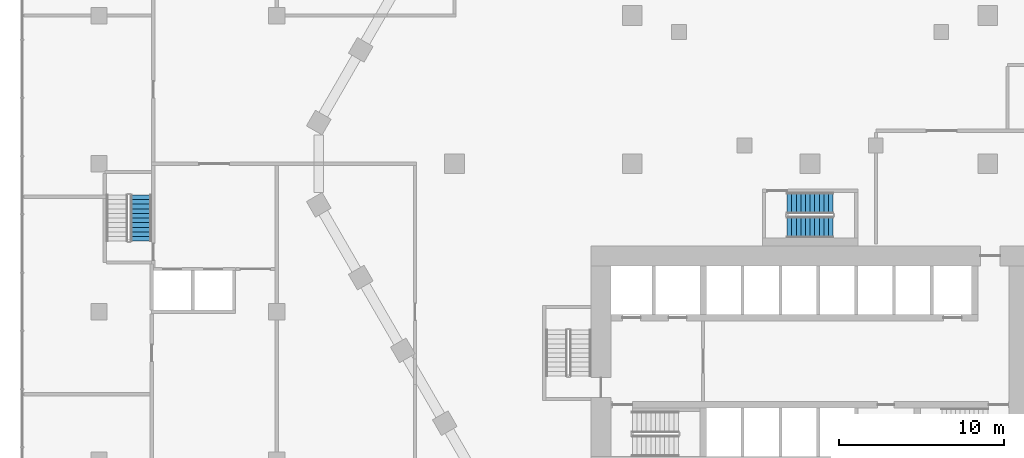
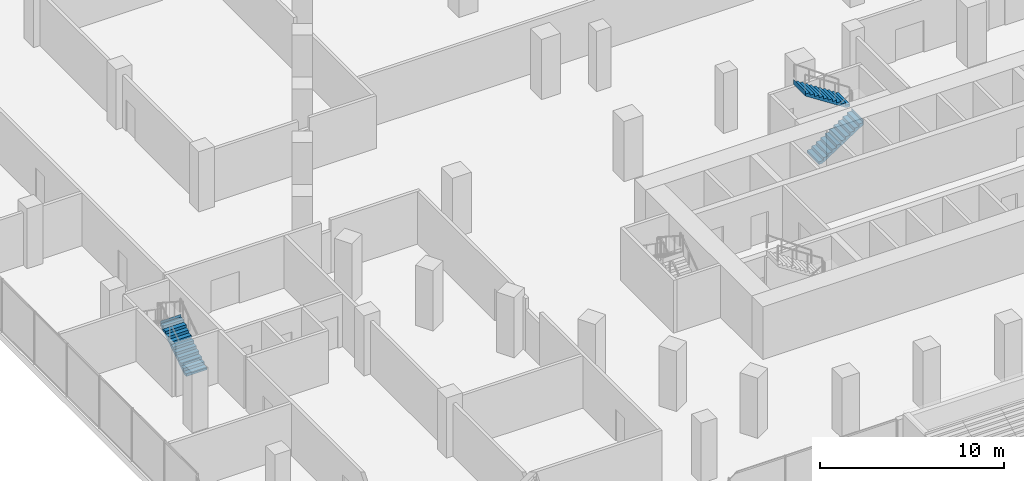
# One storey, part 35 of 45: 3 stair flights, 2 elements without a shape of their own.
"""IFC4 building model written with IfcOpenShell, lengths in metres."""

from ifc_helpers import new_model, si_unit, direction, frame, origin, place, context, subcontext, project, spatial, triangles, material, type_object, element, aggregate, save


model = new_model("IFC4")

# Units and contexts
model_context = context("Model", 3, precision=1e-05, world=origin(), true_north=direction((0.0, 1.0)))
body_context = subcontext(model_context, "Body", "Model", "MODEL_VIEW")
ifc_project = project(units=[si_unit("LENGTHUNIT", "METRE"), si_unit("AREAUNIT", "SQUARE_METRE"), si_unit("VOLUMEUNIT", "CUBIC_METRE"), si_unit("PLANEANGLEUNIT", "RADIAN"), si_unit("MASSUNIT", "GRAM", prefix="KILO")], contexts=[model_context])

# Site, building, storey
site_placement = place(None, origin())
site = spatial("IfcSite", under=ifc_project, at=site_placement, CompositionType="ELEMENT")
building_placement = place(site_placement, origin())
building = spatial("IfcBuilding", under=site, at=building_placement, Name="Beryl Residences", CompositionType="ELEMENT")
storey_placement = place(building_placement, frame((0.0, 0.0, 5.0)))
storey = spatial("IfcBuildingStorey", under=building, at=storey_placement, Name="L01", CompositionType="ELEMENT", Elevation=5.0)

# Stair, stair flight
ifc_material_1 = material(Name="Concrete C40/50", Category="concrete")
stair_type = type_object("IfcStairType", Name="ST1 protected exit stair, half-turn, 1300 mm flights", PredefinedType="HALF_TURN_STAIR", material=ifc_material_1)
stair_1_placement = place(storey_placement, origin())
stair_1 = element("IfcStair", 1, at=stair_1_placement, inside=storey, type_object=stair_type, Name="L01 Podium exit stair 6", PredefinedType="HALF_TURN_STAIR")
ifc_material_2 = material(Name="Concrete C40/50", Category="concrete")
stair_flight_type = type_object("IfcStairFlightType", Name="SF1 stair flight 1300 mm", PredefinedType="STRAIGHT", material=ifc_material_2)
stair_flight_1_placement = place(storey_placement, frame((-40.64990234375, -4.699951171875, 0.0), z_axis=(0.0, 0.0, 1.0), x_axis=(0.0, 1.0, 0.0)))
stair_flight_1 = element("IfcStairFlight", 2, at=stair_flight_1_placement, type_object=stair_flight_type, Name="PS-6 flight 1", NumberOfRisers=11, NumberOfTreads=10, PredefinedType="STRAIGHT", RiserHeight=0.181818182, TreadLength=0.28, context=body_context, shape_type="Tessellation", body=[
    triangles([(0.0, -0.64990234375, 0.0), (0.0, -0.324951171875, 0.0), (0.0, 0.0, 0.0), (0.0, 0.324951171875, 0.0), (0.0, 0.64990234375, 0.0), (0.0, -0.64990234375, 0.181884765625), (0.0, -0.324951171875, 0.181884765625), (0.0, 0.0, 0.181884765625), (0.0, 0.324951171875, 0.181884765625), (0.0, 0.64990234375, 0.181884765625), (0.280029296875, -0.64990234375, 0.181884765625), (0.280029296875, -0.324951171875, 0.181884765625), (0.280029296875, 0.0, 0.181884765625), (0.280029296875, 0.324951171875, 0.181884765625), (0.280029296875, 0.64990234375, 0.181884765625), (0.280029296875, -0.64990234375, 0.363525390625), (0.280029296875, -0.324951171875, 0.363525390625), (0.280029296875, 0.0, 0.363525390625), (0.280029296875, 0.324951171875, 0.363525390625), (0.280029296875, 0.64990234375, 0.363525390625), (0.56005859375, -0.64990234375, 0.363525390625), (0.56005859375, -0.324951171875, 0.363525390625), (0.56005859375, 0.0, 0.363525390625), (0.56005859375, 0.324951171875, 0.363525390625), (0.56005859375, 0.64990234375, 0.363525390625), (0.56005859375, -0.64990234375, 0.54541015625), (0.56005859375, -0.324951171875, 0.54541015625), (0.56005859375, 0.0, 0.54541015625), (0.56005859375, 0.324951171875, 0.54541015625), (0.56005859375, 0.64990234375, 0.54541015625), (0.840087890625, -0.64990234375, 0.54541015625), (0.840087890625, -0.324951171875, 0.54541015625), (0.840087890625, 0.0, 0.54541015625), (0.840087890625, 0.324951171875, 0.54541015625), (0.840087890625, 0.64990234375, 0.54541015625), (0.840087890625, -0.64990234375, 0.727294921875), (0.840087890625, -0.324951171875, 0.727294921875), (0.840087890625, 0.0, 0.727294921875), (0.840087890625, 0.324951171875, 0.727294921875), (0.840087890625, 0.64990234375, 0.727294921875), (1.1201171875, -0.64990234375, 0.727294921875), (1.1201171875, -0.324951171875, 0.727294921875), (1.1201171875, 0.0, 0.727294921875), (1.1201171875, 0.324951171875, 0.727294921875), (1.1201171875, 0.64990234375, 0.727294921875), (1.1201171875, -0.64990234375, 0.9091796875), (1.1201171875, -0.324951171875, 0.9091796875), (1.1201171875, 0.0, 0.9091796875), (1.1201171875, 0.324951171875, 0.9091796875), (1.1201171875, 0.64990234375, 0.9091796875), (1.39990234375, -0.64990234375, 0.9091796875), (1.39990234375, -0.324951171875, 0.9091796875), (1.39990234375, 0.0, 0.9091796875), (1.39990234375, 0.324951171875, 0.9091796875), (1.39990234375, 0.64990234375, 0.9091796875), (1.39990234375, -0.64990234375, 1.0908203125), (1.39990234375, -0.324951171875, 1.0908203125), (1.39990234375, 0.0, 1.0908203125), (1.39990234375, 0.324951171875, 1.0908203125), (1.39990234375, 0.64990234375, 1.0908203125), (1.679931640625, -0.64990234375, 1.0908203125), (1.679931640625, -0.324951171875, 1.0908203125), (1.679931640625, 0.0, 1.0908203125), (1.679931640625, 0.324951171875, 1.0908203125), (1.679931640625, 0.64990234375, 1.0908203125), (1.679931640625, -0.64990234375, 1.272705078125), (1.679931640625, -0.324951171875, 1.272705078125), (1.679931640625, 0.0, 1.272705078125), (1.679931640625, 0.324951171875, 1.272705078125), (1.679931640625, 0.64990234375, 1.272705078125), (1.9599609375, -0.64990234375, 1.272705078125), (1.9599609375, -0.324951171875, 1.272705078125), (1.9599609375, 0.0, 1.272705078125), (1.9599609375, 0.324951171875, 1.272705078125), (1.9599609375, 0.64990234375, 1.272705078125), (1.9599609375, -0.64990234375, 1.45458984375), (1.9599609375, -0.324951171875, 1.45458984375), (1.9599609375, 0.0, 1.45458984375), (1.9599609375, 0.324951171875, 1.45458984375), (1.9599609375, 0.64990234375, 1.45458984375), (2.239990234375, -0.64990234375, 1.45458984375), (2.239990234375, -0.324951171875, 1.45458984375), (2.239990234375, 0.0, 1.45458984375), (2.239990234375, 0.324951171875, 1.45458984375), (2.239990234375, 0.64990234375, 1.45458984375), (2.239990234375, -0.64990234375, 1.636474609375), (2.239990234375, -0.324951171875, 1.636474609375), (2.239990234375, 0.0, 1.636474609375), (2.239990234375, 0.324951171875, 1.636474609375), (2.239990234375, 0.64990234375, 1.636474609375), (2.52001953125, -0.64990234375, 1.636474609375), (2.52001953125, -0.324951171875, 1.636474609375), (2.52001953125, 0.0, 1.636474609375), (2.52001953125, 0.324951171875, 1.636474609375), (2.52001953125, 0.64990234375, 1.636474609375), (2.52001953125, -0.64990234375, 1.818115234375), (2.52001953125, -0.324951171875, 1.818115234375), (2.52001953125, 0.0, 1.818115234375), (2.52001953125, 0.324951171875, 1.818115234375), (2.52001953125, 0.64990234375, 1.818115234375), (2.800048828125, -0.64990234375, 1.818115234375), (2.800048828125, -0.324951171875, 1.818115234375), (2.800048828125, 0.0, 1.818115234375), (2.800048828125, 0.324951171875, 1.818115234375), (2.800048828125, 0.64990234375, 1.818115234375), (2.800048828125, -0.64990234375, 2.0), (2.800048828125, -0.324951171875, 2.0), (2.800048828125, 0.0, 2.0), (2.800048828125, 0.324951171875, 2.0), (2.800048828125, 0.64990234375, 2.0), (2.801025390625, -0.64990234375, 2.0), (2.801025390625, -0.324951171875, 2.0), (2.801025390625, 0.0, 2.0), (2.801025390625, 0.324951171875, 2.0), (2.801025390625, 0.64990234375, 2.0), (2.801025390625, -0.64990234375, 1.675048828125), (2.801025390625, -0.324951171875, 1.675048828125), (2.801025390625, 0.0, 1.675048828125), (2.801025390625, 0.324951171875, 1.675048828125), (2.801025390625, 0.64990234375, 1.675048828125), (0.221435546875, -0.64990234375, 0.0), (0.221435546875, -0.324951171875, 0.0), (0.221435546875, 0.0, 0.0), (0.221435546875, 0.324951171875, 0.0), (0.221435546875, 0.64990234375, 0.0)], [[1, 6, 7], [1, 7, 2], [2, 7, 8], [2, 8, 3], [3, 8, 9], [3, 9, 4], [4, 9, 10], [4, 10, 5], [6, 11, 12], [6, 12, 7], [7, 12, 13], [7, 13, 8], [8, 13, 14], [8, 14, 9], [9, 14, 15], [9, 15, 10], [11, 16, 17], [11, 17, 12], [12, 17, 18], [12, 18, 13], [13, 18, 19], [13, 19, 14], [14, 19, 20], [14, 20, 15], [16, 21, 22], [16, 22, 17], [17, 22, 23], [17, 23, 18], [18, 23, 24], [18, 24, 19], [19, 24, 25], [19, 25, 20], [21, 26, 27], [21, 27, 22], [22, 27, 28], [22, 28, 23], [23, 28, 29], [23, 29, 24], [24, 29, 30], [24, 30, 25], [26, 31, 32], [26, 32, 27], [27, 32, 33], [27, 33, 28], [28, 33, 34], [28, 34, 29], [29, 34, 35], [29, 35, 30], [31, 36, 37], [31, 37, 32], [32, 37, 38], [32, 38, 33], [33, 38, 39], [33, 39, 34], [34, 39, 40], [34, 40, 35], [36, 41, 42], [36, 42, 37], [37, 42, 43], [37, 43, 38], [38, 43, 44], [38, 44, 39], [39, 44, 45], [39, 45, 40], [41, 46, 47], [41, 47, 42], [42, 47, 48], [42, 48, 43], [43, 48, 49], [43, 49, 44], [44, 49, 50], [44, 50, 45], [46, 51, 52], [46, 52, 47], [47, 52, 53], [47, 53, 48], [48, 53, 54], [48, 54, 49], [49, 54, 55], [49, 55, 50], [51, 56, 57], [51, 57, 52], [52, 57, 58], [52, 58, 53], [53, 58, 59], [53, 59, 54], [54, 59, 60], [54, 60, 55], [56, 61, 62], [56, 62, 57], [57, 62, 63], [57, 63, 58], [58, 63, 64], [58, 64, 59], [59, 64, 65], [59, 65, 60], [61, 66, 67], [61, 67, 62], [62, 67, 68], [62, 68, 63], [63, 68, 69], [63, 69, 64], [64, 69, 70], [64, 70, 65], [66, 71, 72], [66, 72, 67], [67, 72, 73], [67, 73, 68], [68, 73, 74], [68, 74, 69], [69, 74, 75], [69, 75, 70], [71, 76, 77], [71, 77, 72], [72, 77, 78], [72, 78, 73], [73, 78, 79], [73, 79, 74], [74, 79, 80], [74, 80, 75], [76, 81, 82], [76, 82, 77], [77, 82, 83], [77, 83, 78], [78, 83, 84], [78, 84, 79], [79, 84, 85], [79, 85, 80], [81, 86, 87], [81, 87, 82], [82, 87, 88], [82, 88, 83], [83, 88, 89], [83, 89, 84], [84, 89, 90], [84, 90, 85], [86, 91, 92], [86, 92, 87], [87, 92, 93], [87, 93, 88], [88, 93, 94], [88, 94, 89], [89, 94, 95], [89, 95, 90], [91, 96, 97], [91, 97, 92], [92, 97, 98], [92, 98, 93], [93, 98, 99], [93, 99, 94], [94, 99, 100], [94, 100, 95], [96, 101, 102], [96, 102, 97], [97, 102, 103], [97, 103, 98], [98, 103, 104], [98, 104, 99], [99, 104, 105], [99, 105, 100], [101, 106, 107], [101, 107, 102], [102, 107, 108], [102, 108, 103], [103, 108, 109], [103, 109, 104], [104, 109, 110], [104, 110, 105], [106, 111, 112], [106, 112, 107], [107, 112, 113], [107, 113, 108], [108, 113, 114], [108, 114, 109], [109, 114, 115], [109, 115, 110], [111, 116, 117], [111, 117, 112], [112, 117, 118], [112, 118, 113], [113, 118, 119], [113, 119, 114], [114, 119, 120], [114, 120, 115], [116, 121, 122], [116, 122, 117], [117, 122, 123], [117, 123, 118], [118, 123, 124], [118, 124, 119], [119, 124, 125], [119, 125, 120], [121, 1, 2], [121, 2, 122], [122, 2, 3], [122, 3, 123], [123, 3, 4], [123, 4, 124], [124, 4, 5], [124, 5, 125], [1, 121, 116], [5, 120, 125], [116, 111, 106], [120, 110, 115], [116, 106, 101], [120, 105, 110], [116, 101, 96], [120, 100, 105], [116, 96, 91], [120, 95, 100], [91, 86, 81], [95, 85, 90], [116, 91, 81], [120, 85, 95], [81, 76, 71], [85, 75, 80], [116, 81, 71], [120, 75, 85], [71, 66, 61], [75, 65, 70], [116, 71, 61], [120, 65, 75], [61, 56, 51], [65, 55, 60], [116, 61, 51], [120, 55, 65], [51, 46, 41], [55, 45, 50], [116, 51, 41], [120, 45, 55], [41, 36, 31], [45, 35, 40], [116, 41, 31], [120, 35, 45], [31, 26, 21], [35, 25, 30], [116, 31, 21], [120, 25, 35], [1, 116, 21], [5, 25, 120], [21, 16, 11], [25, 15, 20], [1, 21, 11], [5, 15, 25], [11, 6, 1], [15, 5, 10]], closed=True),
])
aggregate(stair_1, [stair_flight_1])

# Stair, stair flights
stair_2_placement = place(storey_placement, origin())
stair_2 = element("IfcStair", 3, at=stair_2_placement, inside=storey, type_object=stair_type, Name="L01 PROTECTED EXIT STAIR ST-4", PredefinedType="HALF_TURN_STAIR")
stair_flight_2_placement = place(storey_placement, frame((-1.39990234375, -3.85009765625, 0.0), z_axis=(0.0, 0.0, 1.0), x_axis=(1.0, 0.0, 0.0)))
stair_flight_2 = element("IfcStairFlight", 4, at=stair_flight_2_placement, type_object=stair_flight_type, Name="ST-4 flight 1", NumberOfRisers=11, NumberOfTreads=10, PredefinedType="STRAIGHT", RiserHeight=0.181818182, TreadLength=0.28, context=body_context, shape_type="Tessellation", body=[
    triangles([(0.0, -0.64990234375, 0.0), (0.0, -0.324951171875, 0.0), (0.0, 0.0, 0.0), (0.0, 0.324951171875, 0.0), (0.0, 0.64990234375, 0.0), (0.0, -0.64990234375, 0.181884765625), (0.0, -0.324951171875, 0.181884765625), (0.0, 0.0, 0.181884765625), (0.0, 0.324951171875, 0.181884765625), (0.0, 0.64990234375, 0.181884765625), (0.280029296875, -0.64990234375, 0.181884765625), (0.280029296875, -0.324951171875, 0.181884765625), (0.280029296875, 0.0, 0.181884765625), (0.280029296875, 0.324951171875, 0.181884765625), (0.280029296875, 0.64990234375, 0.181884765625), (0.280029296875, -0.64990234375, 0.363525390625), (0.280029296875, -0.324951171875, 0.363525390625), (0.280029296875, 0.0, 0.363525390625), (0.280029296875, 0.324951171875, 0.363525390625), (0.280029296875, 0.64990234375, 0.363525390625), (0.56005859375, -0.64990234375, 0.363525390625), (0.56005859375, -0.324951171875, 0.363525390625), (0.56005859375, 0.0, 0.363525390625), (0.56005859375, 0.324951171875, 0.363525390625), (0.56005859375, 0.64990234375, 0.363525390625), (0.56005859375, -0.64990234375, 0.54541015625), (0.56005859375, -0.324951171875, 0.54541015625), (0.56005859375, 0.0, 0.54541015625), (0.56005859375, 0.324951171875, 0.54541015625), (0.56005859375, 0.64990234375, 0.54541015625), (0.840087890625, -0.64990234375, 0.54541015625), (0.840087890625, -0.324951171875, 0.54541015625), (0.840087890625, 0.0, 0.54541015625), (0.840087890625, 0.324951171875, 0.54541015625), (0.840087890625, 0.64990234375, 0.54541015625), (0.840087890625, -0.64990234375, 0.727294921875), (0.840087890625, -0.324951171875, 0.727294921875), (0.840087890625, 0.0, 0.727294921875), (0.840087890625, 0.324951171875, 0.727294921875), (0.840087890625, 0.64990234375, 0.727294921875), (1.1201171875, -0.64990234375, 0.727294921875), (1.1201171875, -0.324951171875, 0.727294921875), (1.1201171875, 0.0, 0.727294921875), (1.1201171875, 0.324951171875, 0.727294921875), (1.1201171875, 0.64990234375, 0.727294921875), (1.1201171875, -0.64990234375, 0.9091796875), (1.1201171875, -0.324951171875, 0.9091796875), (1.1201171875, 0.0, 0.9091796875), (1.1201171875, 0.324951171875, 0.9091796875), (1.1201171875, 0.64990234375, 0.9091796875), (1.39990234375, -0.64990234375, 0.9091796875), (1.39990234375, -0.324951171875, 0.9091796875), (1.39990234375, 0.0, 0.9091796875), (1.39990234375, 0.324951171875, 0.9091796875), (1.39990234375, 0.64990234375, 0.9091796875), (1.39990234375, -0.64990234375, 1.0908203125), (1.39990234375, -0.324951171875, 1.0908203125), (1.39990234375, 0.0, 1.0908203125), (1.39990234375, 0.324951171875, 1.0908203125), (1.39990234375, 0.64990234375, 1.0908203125), (1.679931640625, -0.64990234375, 1.0908203125), (1.679931640625, -0.324951171875, 1.0908203125), (1.679931640625, 0.0, 1.0908203125), (1.679931640625, 0.324951171875, 1.0908203125), (1.679931640625, 0.64990234375, 1.0908203125), (1.679931640625, -0.64990234375, 1.272705078125), (1.679931640625, -0.324951171875, 1.272705078125), (1.679931640625, 0.0, 1.272705078125), (1.679931640625, 0.324951171875, 1.272705078125), (1.679931640625, 0.64990234375, 1.272705078125), (1.9599609375, -0.64990234375, 1.272705078125), (1.9599609375, -0.324951171875, 1.272705078125), (1.9599609375, 0.0, 1.272705078125), (1.9599609375, 0.324951171875, 1.272705078125), (1.9599609375, 0.64990234375, 1.272705078125), (1.9599609375, -0.64990234375, 1.45458984375), (1.9599609375, -0.324951171875, 1.45458984375), (1.9599609375, 0.0, 1.45458984375), (1.9599609375, 0.324951171875, 1.45458984375), (1.9599609375, 0.64990234375, 1.45458984375), (2.239990234375, -0.64990234375, 1.45458984375), (2.239990234375, -0.324951171875, 1.45458984375), (2.239990234375, 0.0, 1.45458984375), (2.239990234375, 0.324951171875, 1.45458984375), (2.239990234375, 0.64990234375, 1.45458984375), (2.239990234375, -0.64990234375, 1.636474609375), (2.239990234375, -0.324951171875, 1.636474609375), (2.239990234375, 0.0, 1.636474609375), (2.239990234375, 0.324951171875, 1.636474609375), (2.239990234375, 0.64990234375, 1.636474609375), (2.52001953125, -0.64990234375, 1.636474609375), (2.52001953125, -0.324951171875, 1.636474609375), (2.52001953125, 0.0, 1.636474609375), (2.52001953125, 0.324951171875, 1.636474609375), (2.52001953125, 0.64990234375, 1.636474609375), (2.52001953125, -0.64990234375, 1.818115234375), (2.52001953125, -0.324951171875, 1.818115234375), (2.52001953125, 0.0, 1.818115234375), (2.52001953125, 0.324951171875, 1.818115234375), (2.52001953125, 0.64990234375, 1.818115234375), (2.800048828125, -0.64990234375, 1.818115234375), (2.800048828125, -0.324951171875, 1.818115234375), (2.800048828125, 0.0, 1.818115234375), (2.800048828125, 0.324951171875, 1.818115234375), (2.800048828125, 0.64990234375, 1.818115234375), (2.800048828125, -0.64990234375, 2.0), (2.800048828125, -0.324951171875, 2.0), (2.800048828125, 0.0, 2.0), (2.800048828125, 0.324951171875, 2.0), (2.800048828125, 0.64990234375, 2.0), (2.801025390625, -0.64990234375, 2.0), (2.801025390625, -0.324951171875, 2.0), (2.801025390625, 0.0, 2.0), (2.801025390625, 0.324951171875, 2.0), (2.801025390625, 0.64990234375, 2.0), (2.801025390625, -0.64990234375, 1.675048828125), (2.801025390625, -0.324951171875, 1.675048828125), (2.801025390625, 0.0, 1.675048828125), (2.801025390625, 0.324951171875, 1.675048828125), (2.801025390625, 0.64990234375, 1.675048828125), (0.221435546875, -0.64990234375, 0.0), (0.221435546875, -0.324951171875, 0.0), (0.221435546875, 0.0, 0.0), (0.221435546875, 0.324951171875, 0.0), (0.221435546875, 0.64990234375, 0.0)], [[1, 6, 7], [1, 7, 2], [2, 7, 8], [2, 8, 3], [3, 8, 9], [3, 9, 4], [4, 9, 10], [4, 10, 5], [6, 11, 12], [6, 12, 7], [7, 12, 13], [7, 13, 8], [8, 13, 14], [8, 14, 9], [9, 14, 15], [9, 15, 10], [11, 16, 17], [11, 17, 12], [12, 17, 18], [12, 18, 13], [13, 18, 19], [13, 19, 14], [14, 19, 20], [14, 20, 15], [16, 21, 22], [16, 22, 17], [17, 22, 23], [17, 23, 18], [18, 23, 24], [18, 24, 19], [19, 24, 25], [19, 25, 20], [21, 26, 27], [21, 27, 22], [22, 27, 28], [22, 28, 23], [23, 28, 29], [23, 29, 24], [24, 29, 30], [24, 30, 25], [26, 31, 32], [26, 32, 27], [27, 32, 33], [27, 33, 28], [28, 33, 34], [28, 34, 29], [29, 34, 35], [29, 35, 30], [31, 36, 37], [31, 37, 32], [32, 37, 38], [32, 38, 33], [33, 38, 39], [33, 39, 34], [34, 39, 40], [34, 40, 35], [36, 41, 42], [36, 42, 37], [37, 42, 43], [37, 43, 38], [38, 43, 44], [38, 44, 39], [39, 44, 45], [39, 45, 40], [41, 46, 47], [41, 47, 42], [42, 47, 48], [42, 48, 43], [43, 48, 49], [43, 49, 44], [44, 49, 50], [44, 50, 45], [46, 51, 52], [46, 52, 47], [47, 52, 53], [47, 53, 48], [48, 53, 54], [48, 54, 49], [49, 54, 55], [49, 55, 50], [51, 56, 57], [51, 57, 52], [52, 57, 58], [52, 58, 53], [53, 58, 59], [53, 59, 54], [54, 59, 60], [54, 60, 55], [56, 61, 62], [56, 62, 57], [57, 62, 63], [57, 63, 58], [58, 63, 64], [58, 64, 59], [59, 64, 65], [59, 65, 60], [61, 66, 67], [61, 67, 62], [62, 67, 68], [62, 68, 63], [63, 68, 69], [63, 69, 64], [64, 69, 70], [64, 70, 65], [66, 71, 72], [66, 72, 67], [67, 72, 73], [67, 73, 68], [68, 73, 74], [68, 74, 69], [69, 74, 75], [69, 75, 70], [71, 76, 77], [71, 77, 72], [72, 77, 78], [72, 78, 73], [73, 78, 79], [73, 79, 74], [74, 79, 80], [74, 80, 75], [76, 81, 82], [76, 82, 77], [77, 82, 83], [77, 83, 78], [78, 83, 84], [78, 84, 79], [79, 84, 85], [79, 85, 80], [81, 86, 87], [81, 87, 82], [82, 87, 88], [82, 88, 83], [83, 88, 89], [83, 89, 84], [84, 89, 90], [84, 90, 85], [86, 91, 92], [86, 92, 87], [87, 92, 93], [87, 93, 88], [88, 93, 94], [88, 94, 89], [89, 94, 95], [89, 95, 90], [91, 96, 97], [91, 97, 92], [92, 97, 98], [92, 98, 93], [93, 98, 99], [93, 99, 94], [94, 99, 100], [94, 100, 95], [96, 101, 102], [96, 102, 97], [97, 102, 103], [97, 103, 98], [98, 103, 104], [98, 104, 99], [99, 104, 105], [99, 105, 100], [101, 106, 107], [101, 107, 102], [102, 107, 108], [102, 108, 103], [103, 108, 109], [103, 109, 104], [104, 109, 110], [104, 110, 105], [106, 111, 112], [106, 112, 107], [107, 112, 113], [107, 113, 108], [108, 113, 114], [108, 114, 109], [109, 114, 115], [109, 115, 110], [111, 116, 117], [111, 117, 112], [112, 117, 118], [112, 118, 113], [113, 118, 119], [113, 119, 114], [114, 119, 120], [114, 120, 115], [116, 121, 122], [116, 122, 117], [117, 122, 123], [117, 123, 118], [118, 123, 124], [118, 124, 119], [119, 124, 125], [119, 125, 120], [121, 1, 2], [121, 2, 122], [122, 2, 3], [122, 3, 123], [123, 3, 4], [123, 4, 124], [124, 4, 5], [124, 5, 125], [1, 121, 116], [5, 120, 125], [116, 111, 106], [120, 110, 115], [116, 106, 101], [120, 105, 110], [116, 101, 96], [120, 100, 105], [116, 96, 91], [120, 95, 100], [91, 86, 81], [95, 85, 90], [116, 91, 81], [120, 85, 95], [81, 76, 71], [85, 75, 80], [116, 81, 71], [120, 75, 85], [71, 66, 61], [75, 65, 70], [116, 71, 61], [120, 65, 75], [61, 56, 51], [65, 55, 60], [116, 61, 51], [120, 55, 65], [51, 46, 41], [55, 45, 50], [116, 51, 41], [120, 45, 55], [41, 36, 31], [45, 35, 40], [116, 41, 31], [120, 35, 45], [31, 26, 21], [35, 25, 30], [116, 31, 21], [120, 25, 35], [1, 116, 21], [5, 25, 120], [21, 16, 11], [25, 15, 20], [1, 21, 11], [5, 15, 25], [11, 6, 1], [15, 5, 10]], closed=True),
])
stair_flight_3_placement = place(storey_placement, frame((1.39990234375, -2.39990234375, 2.0), z_axis=(0.0, 0.0, 1.0), x_axis=(-1.0, 0.0, 0.0)))
stair_flight_3 = element("IfcStairFlight", 5, at=stair_flight_3_placement, type_object=stair_flight_type, Name="ST-4 flight 2", NumberOfRisers=11, NumberOfTreads=10, PredefinedType="STRAIGHT", RiserHeight=0.181818182, TreadLength=0.28, context=body_context, shape_type="Tessellation", body=[
    triangles([(0.0, -0.64990234375, 0.0), (0.0, -0.324951171875, 0.0), (0.0, 0.0, 0.0), (0.0, 0.324951171875, 0.0), (0.0, 0.64990234375, 0.0), (0.0, -0.64990234375, 0.181884765625), (0.0, -0.324951171875, 0.181884765625), (0.0, 0.0, 0.181884765625), (0.0, 0.324951171875, 0.181884765625), (0.0, 0.64990234375, 0.181884765625), (0.280029296875, -0.64990234375, 0.181884765625), (0.280029296875, -0.324951171875, 0.181884765625), (0.280029296875, 0.0, 0.181884765625), (0.280029296875, 0.324951171875, 0.181884765625), (0.280029296875, 0.64990234375, 0.181884765625), (0.280029296875, -0.64990234375, 0.363525390625), (0.280029296875, -0.324951171875, 0.363525390625), (0.280029296875, 0.0, 0.363525390625), (0.280029296875, 0.324951171875, 0.363525390625), (0.280029296875, 0.64990234375, 0.363525390625), (0.56005859375, -0.64990234375, 0.363525390625), (0.56005859375, -0.324951171875, 0.363525390625), (0.56005859375, 0.0, 0.363525390625), (0.56005859375, 0.324951171875, 0.363525390625), (0.56005859375, 0.64990234375, 0.363525390625), (0.56005859375, -0.64990234375, 0.54541015625), (0.56005859375, -0.324951171875, 0.54541015625), (0.56005859375, 0.0, 0.54541015625), (0.56005859375, 0.324951171875, 0.54541015625), (0.56005859375, 0.64990234375, 0.54541015625), (0.840087890625, -0.64990234375, 0.54541015625), (0.840087890625, -0.324951171875, 0.54541015625), (0.840087890625, 0.0, 0.54541015625), (0.840087890625, 0.324951171875, 0.54541015625), (0.840087890625, 0.64990234375, 0.54541015625), (0.840087890625, -0.64990234375, 0.727294921875), (0.840087890625, -0.324951171875, 0.727294921875), (0.840087890625, 0.0, 0.727294921875), (0.840087890625, 0.324951171875, 0.727294921875), (0.840087890625, 0.64990234375, 0.727294921875), (1.1201171875, -0.64990234375, 0.727294921875), (1.1201171875, -0.324951171875, 0.727294921875), (1.1201171875, 0.0, 0.727294921875), (1.1201171875, 0.324951171875, 0.727294921875), (1.1201171875, 0.64990234375, 0.727294921875), (1.1201171875, -0.64990234375, 0.9091796875), (1.1201171875, -0.324951171875, 0.9091796875), (1.1201171875, 0.0, 0.9091796875), (1.1201171875, 0.324951171875, 0.9091796875), (1.1201171875, 0.64990234375, 0.9091796875), (1.39990234375, -0.64990234375, 0.9091796875), (1.39990234375, -0.324951171875, 0.9091796875), (1.39990234375, 0.0, 0.9091796875), (1.39990234375, 0.324951171875, 0.9091796875), (1.39990234375, 0.64990234375, 0.9091796875), (1.39990234375, -0.64990234375, 1.0908203125), (1.39990234375, -0.324951171875, 1.0908203125), (1.39990234375, 0.0, 1.0908203125), (1.39990234375, 0.324951171875, 1.0908203125), (1.39990234375, 0.64990234375, 1.0908203125), (1.679931640625, -0.64990234375, 1.0908203125), (1.679931640625, -0.324951171875, 1.0908203125), (1.679931640625, 0.0, 1.0908203125), (1.679931640625, 0.324951171875, 1.0908203125), (1.679931640625, 0.64990234375, 1.0908203125), (1.679931640625, -0.64990234375, 1.272705078125), (1.679931640625, -0.324951171875, 1.272705078125), (1.679931640625, 0.0, 1.272705078125), (1.679931640625, 0.324951171875, 1.272705078125), (1.679931640625, 0.64990234375, 1.272705078125), (1.9599609375, -0.64990234375, 1.272705078125), (1.9599609375, -0.324951171875, 1.272705078125), (1.9599609375, 0.0, 1.272705078125), (1.9599609375, 0.324951171875, 1.272705078125), (1.9599609375, 0.64990234375, 1.272705078125), (1.9599609375, -0.64990234375, 1.45458984375), (1.9599609375, -0.324951171875, 1.45458984375), (1.9599609375, 0.0, 1.45458984375), (1.9599609375, 0.324951171875, 1.45458984375), (1.9599609375, 0.64990234375, 1.45458984375), (2.239990234375, -0.64990234375, 1.45458984375), (2.239990234375, -0.324951171875, 1.45458984375), (2.239990234375, 0.0, 1.45458984375), (2.239990234375, 0.324951171875, 1.45458984375), (2.239990234375, 0.64990234375, 1.45458984375), (2.239990234375, -0.64990234375, 1.636474609375), (2.239990234375, -0.324951171875, 1.636474609375), (2.239990234375, 0.0, 1.636474609375), (2.239990234375, 0.324951171875, 1.636474609375), (2.239990234375, 0.64990234375, 1.636474609375), (2.52001953125, -0.64990234375, 1.636474609375), (2.52001953125, -0.324951171875, 1.636474609375), (2.52001953125, 0.0, 1.636474609375), (2.52001953125, 0.324951171875, 1.636474609375), (2.52001953125, 0.64990234375, 1.636474609375), (2.52001953125, -0.64990234375, 1.818115234375), (2.52001953125, -0.324951171875, 1.818115234375), (2.52001953125, 0.0, 1.818115234375), (2.52001953125, 0.324951171875, 1.818115234375), (2.52001953125, 0.64990234375, 1.818115234375), (2.800048828125, -0.64990234375, 1.818115234375), (2.800048828125, -0.324951171875, 1.818115234375), (2.800048828125, 0.0, 1.818115234375), (2.800048828125, 0.324951171875, 1.818115234375), (2.800048828125, 0.64990234375, 1.818115234375), (2.800048828125, -0.64990234375, 2.0), (2.800048828125, -0.324951171875, 2.0), (2.800048828125, 0.0, 2.0), (2.800048828125, 0.324951171875, 2.0), (2.800048828125, 0.64990234375, 2.0), (2.801025390625, -0.64990234375, 2.0), (2.801025390625, -0.324951171875, 2.0), (2.801025390625, 0.0, 2.0), (2.801025390625, 0.324951171875, 2.0), (2.801025390625, 0.64990234375, 2.0), (2.801025390625, -0.64990234375, 1.675048828125), (2.801025390625, -0.324951171875, 1.675048828125), (2.801025390625, 0.0, 1.675048828125), (2.801025390625, 0.324951171875, 1.675048828125), (2.801025390625, 0.64990234375, 1.675048828125), (0.221435546875, -0.64990234375, 0.0), (0.221435546875, -0.324951171875, 0.0), (0.221435546875, 0.0, 0.0), (0.221435546875, 0.324951171875, 0.0), (0.221435546875, 0.64990234375, 0.0)], [[1, 6, 7], [1, 7, 2], [2, 7, 8], [2, 8, 3], [3, 8, 9], [3, 9, 4], [4, 9, 10], [4, 10, 5], [6, 11, 12], [6, 12, 7], [7, 12, 13], [7, 13, 8], [8, 13, 14], [8, 14, 9], [9, 14, 15], [9, 15, 10], [11, 16, 17], [11, 17, 12], [12, 17, 18], [12, 18, 13], [13, 18, 19], [13, 19, 14], [14, 19, 20], [14, 20, 15], [16, 21, 22], [16, 22, 17], [17, 22, 23], [17, 23, 18], [18, 23, 24], [18, 24, 19], [19, 24, 25], [19, 25, 20], [21, 26, 27], [21, 27, 22], [22, 27, 28], [22, 28, 23], [23, 28, 29], [23, 29, 24], [24, 29, 30], [24, 30, 25], [26, 31, 32], [26, 32, 27], [27, 32, 33], [27, 33, 28], [28, 33, 34], [28, 34, 29], [29, 34, 35], [29, 35, 30], [31, 36, 37], [31, 37, 32], [32, 37, 38], [32, 38, 33], [33, 38, 39], [33, 39, 34], [34, 39, 40], [34, 40, 35], [36, 41, 42], [36, 42, 37], [37, 42, 43], [37, 43, 38], [38, 43, 44], [38, 44, 39], [39, 44, 45], [39, 45, 40], [41, 46, 47], [41, 47, 42], [42, 47, 48], [42, 48, 43], [43, 48, 49], [43, 49, 44], [44, 49, 50], [44, 50, 45], [46, 51, 52], [46, 52, 47], [47, 52, 53], [47, 53, 48], [48, 53, 54], [48, 54, 49], [49, 54, 55], [49, 55, 50], [51, 56, 57], [51, 57, 52], [52, 57, 58], [52, 58, 53], [53, 58, 59], [53, 59, 54], [54, 59, 60], [54, 60, 55], [56, 61, 62], [56, 62, 57], [57, 62, 63], [57, 63, 58], [58, 63, 64], [58, 64, 59], [59, 64, 65], [59, 65, 60], [61, 66, 67], [61, 67, 62], [62, 67, 68], [62, 68, 63], [63, 68, 69], [63, 69, 64], [64, 69, 70], [64, 70, 65], [66, 71, 72], [66, 72, 67], [67, 72, 73], [67, 73, 68], [68, 73, 74], [68, 74, 69], [69, 74, 75], [69, 75, 70], [71, 76, 77], [71, 77, 72], [72, 77, 78], [72, 78, 73], [73, 78, 79], [73, 79, 74], [74, 79, 80], [74, 80, 75], [76, 81, 82], [76, 82, 77], [77, 82, 83], [77, 83, 78], [78, 83, 84], [78, 84, 79], [79, 84, 85], [79, 85, 80], [81, 86, 87], [81, 87, 82], [82, 87, 88], [82, 88, 83], [83, 88, 89], [83, 89, 84], [84, 89, 90], [84, 90, 85], [86, 91, 92], [86, 92, 87], [87, 92, 93], [87, 93, 88], [88, 93, 94], [88, 94, 89], [89, 94, 95], [89, 95, 90], [91, 96, 97], [91, 97, 92], [92, 97, 98], [92, 98, 93], [93, 98, 99], [93, 99, 94], [94, 99, 100], [94, 100, 95], [96, 101, 102], [96, 102, 97], [97, 102, 103], [97, 103, 98], [98, 103, 104], [98, 104, 99], [99, 104, 105], [99, 105, 100], [101, 106, 107], [101, 107, 102], [102, 107, 108], [102, 108, 103], [103, 108, 109], [103, 109, 104], [104, 109, 110], [104, 110, 105], [106, 111, 112], [106, 112, 107], [107, 112, 113], [107, 113, 108], [108, 113, 114], [108, 114, 109], [109, 114, 115], [109, 115, 110], [111, 116, 117], [111, 117, 112], [112, 117, 118], [112, 118, 113], [113, 118, 119], [113, 119, 114], [114, 119, 120], [114, 120, 115], [116, 121, 122], [116, 122, 117], [117, 122, 123], [117, 123, 118], [118, 123, 124], [118, 124, 119], [119, 124, 125], [119, 125, 120], [121, 1, 2], [121, 2, 122], [122, 2, 3], [122, 3, 123], [123, 3, 4], [123, 4, 124], [124, 4, 5], [124, 5, 125], [1, 121, 116], [5, 120, 125], [116, 111, 106], [120, 110, 115], [116, 106, 101], [120, 105, 110], [116, 101, 96], [120, 100, 105], [116, 96, 91], [120, 95, 100], [91, 86, 81], [95, 85, 90], [116, 91, 81], [120, 85, 95], [81, 76, 71], [85, 75, 80], [116, 81, 71], [120, 75, 85], [71, 66, 61], [75, 65, 70], [116, 71, 61], [120, 65, 75], [61, 56, 51], [65, 55, 60], [116, 61, 51], [120, 55, 65], [51, 46, 41], [55, 45, 50], [116, 51, 41], [120, 45, 55], [41, 36, 31], [45, 35, 40], [116, 41, 31], [120, 35, 45], [31, 26, 21], [35, 25, 30], [116, 31, 21], [120, 25, 35], [1, 116, 21], [5, 25, 120], [21, 16, 11], [25, 15, 20], [1, 21, 11], [5, 15, 25], [11, 6, 1], [15, 5, 10]], closed=True),
])
aggregate(stair_2, [stair_flight_2, stair_flight_3])

save(model, "model.ifc")
